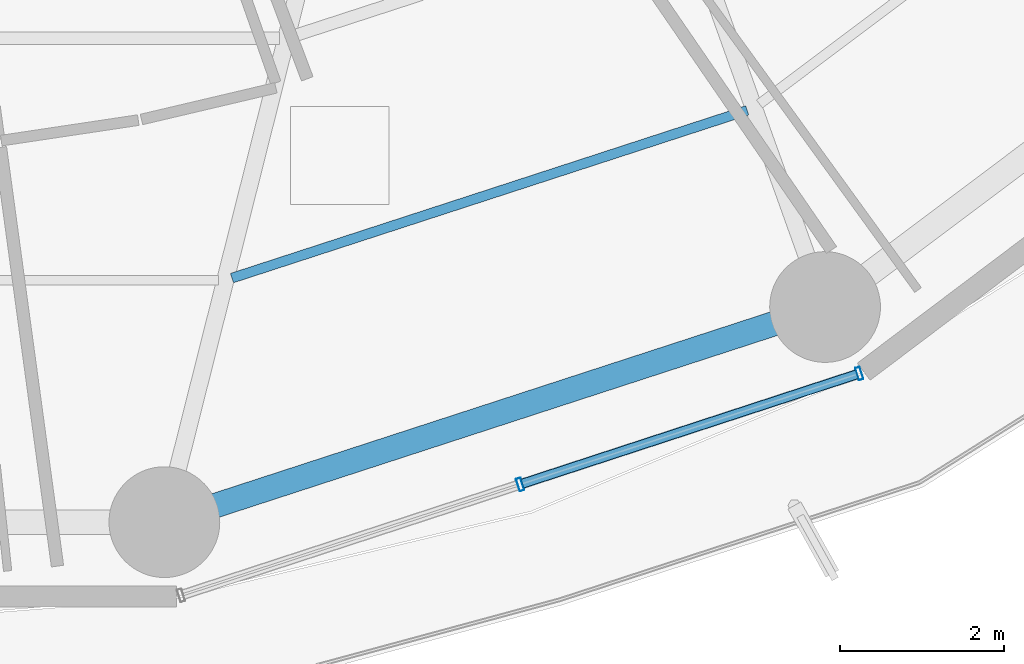
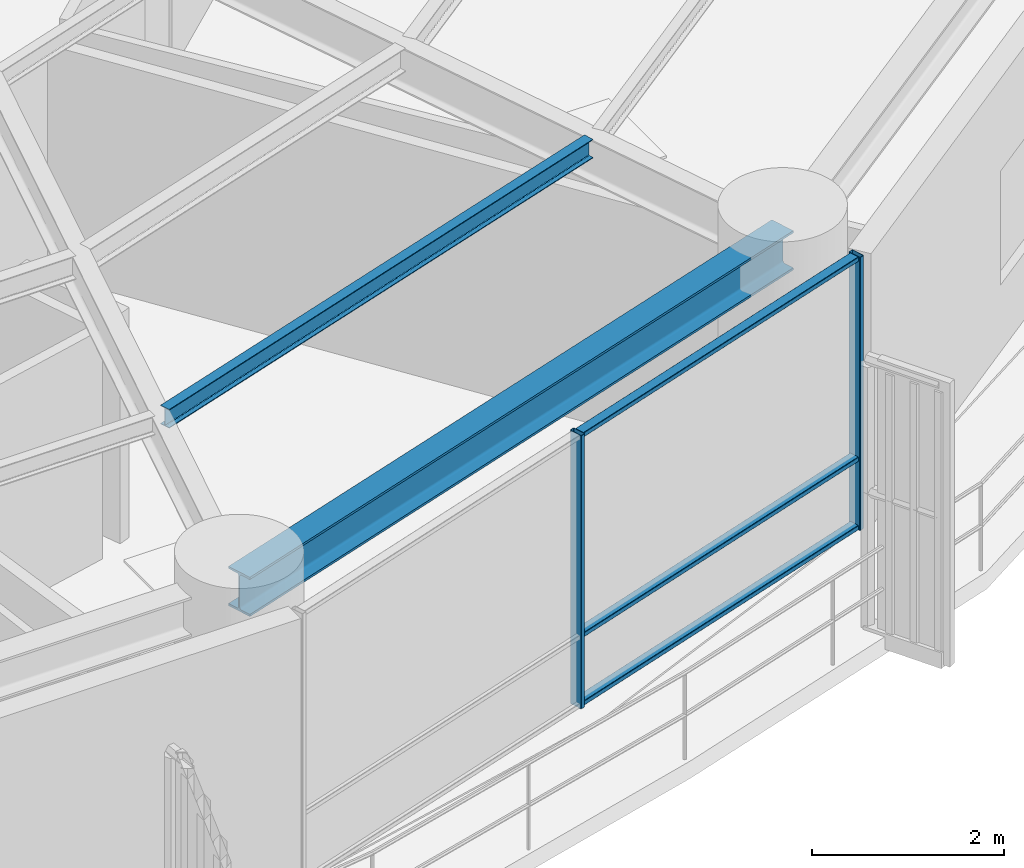
# One storey, part 10 of 37: 5 members, 2 beams, 1 element without a shape of its own.
"""IFC4 building model written with IfcOpenShell, lengths in metres."""

from ifc_helpers import new_model, si_unit, direction, frame, origin, origin_2d, place, context, subcontext, project, spatial, hollow_rectangle, i_section, extrude, material, layer, layer_set, material_profile, profile_set, type_object, element, aggregate, save


model = new_model("IFC4")

# Units and contexts
model_context = context("Model", 3, precision=1e-05, world=origin(), true_north=direction((0.0, 1.0)))
body_context = subcontext(model_context, "Body", "Model", "MODEL_VIEW")
ifc_project = project(units=[si_unit("LENGTHUNIT", "METRE"), si_unit("AREAUNIT", "SQUARE_METRE"), si_unit("VOLUMEUNIT", "CUBIC_METRE"), si_unit("PLANEANGLEUNIT", "RADIAN"), si_unit("MASSUNIT", "GRAM", prefix="KILO")], contexts=[model_context])

# Site, building, storey
site_placement = place(None, origin())
site = spatial("IfcSite", under=ifc_project, at=site_placement, CompositionType="ELEMENT")
building_placement = place(site_placement, origin())
building = spatial("IfcBuilding", under=site, at=building_placement, Name="Kelanora Arch Commons", CompositionType="ELEMENT")
storey_placement = place(building_placement, frame((0.0, 0.0, 113.85009765625)))
storey = spatial("IfcBuildingStorey", under=building, at=storey_placement, Name="L29", CompositionType="ELEMENT", Elevation=113.85009765625)

# Beams
ifc_material_1 = material(Name="Steel S355", Category="steel")
ifc_material_profile_1 = material_profile(ifc_material_1, i_section(OverallWidth=0.1201171875, OverallDepth=0.239990234375, WebThickness=0.006103515625, FlangeThickness=0.009765625, FilletRadius=0.014892578125, at=origin_2d()), Name="IPE240")
ifc_profile_set_1 = profile_set([ifc_material_profile_1], Name="Steel S355")
beam_type_1 = type_object("IfcBeamType", Name="BM-JST-02", PredefinedType="JOIST", material=ifc_profile_set_1)
beam_1_placement = place(storey_placement, frame((79.109375, 39.230712890625, 3.369873046875), z_axis=(0.950862829272, 0.309612467301, 0.0), x_axis=(-0.309612467301, 0.950862829272, 0.0)))
element("IfcBeam", 1, at=beam_1_placement, inside=storey, type_object=beam_type_1, Name="Secondary Chord Joist BJC-28 L29", PredefinedType="JOIST", context=body_context, shape_type="SweptSolid", body=[
    extrude(i_section(OverallWidth=0.1201171875, OverallDepth=0.239990234375, WebThickness=0.006103515625, FlangeThickness=0.009765625, FilletRadius=0.014892578125, at=origin_2d()), origin(), (0.0, 0.0, 1.0), 6.6064453125),
])
ifc_material_profile_2 = material_profile(ifc_material_1, i_section(OverallWidth=0.300048828125, OverallDepth=0.5, WebThickness=0.014404296875, FlangeThickness=0.028076171875, FilletRadius=0.027099609375, at=origin_2d()), Name="HEB500")
ifc_profile_set_2 = profile_set([ifc_material_profile_2], Name="Steel S355")
beam_type_2 = type_object("IfcBeamType", Name="BM-SPN-Z2", PredefinedType="SPANDREL", material=ifc_profile_set_2)
beam_2_placement = place(storey_placement, frame((78.28564453125, 36.25537109375, 3.239990234375), z_axis=(0.950856631974, 0.309631499418, 0.0), x_axis=(-0.309631499418, 0.950856631974, 0.0)))
element("IfcBeam", 2, at=beam_2_placement, inside=storey, type_object=beam_type_2, Name="Perimeter Spandrel Beam BS-28 L29", PredefinedType="SPANDREL", context=body_context, shape_type="SweptSolid", body=[
    extrude(i_section(OverallWidth=0.300048828125, OverallDepth=0.5, WebThickness=0.014404296875, FlangeThickness=0.028076171875, FilletRadius=0.027099609375, at=origin_2d()), origin(), (0.0, 0.0, 1.0), 8.470703125),
])

# Curtain wall, members
ifc_material_2 = material(Name="Terracotta ceramic-fritted low-E glass and aluminium", Category="masonry")
ifc_layer = layer(ifc_material_2, 0.159912109375)
ifc_layer_set = layer_set([ifc_layer], Name="Terracotta ceramic-fritted low-E glass and aluminium")
curtain_wall_type = type_object("IfcCurtainWallType", Name="CW-SYS-01", PredefinedType="NOTDEFINED", material=ifc_layer_set)
curtain_wall_placement = place(storey_placement, origin())
curtain_wall = element("IfcCurtainWall", 3, at=curtain_wall_placement, inside=storey, type_object=curtain_wall_type, Name="Unitised Curtain Wall L29-B14", PredefinedType="NOTDEFINED")
ifc_material_3 = material(Name="Powder-coated aluminium terracotta", Category="masonry")
ifc_material_profile_3 = material_profile(ifc_material_3, hollow_rectangle(XDim=0.159912109375, YDim=0.06005859375, WallThickness=0.0048828125, InnerFilletRadius=0.0048828125, OuterFilletRadius=0.010009765625, at=origin_2d()), Name="CWM160x60")
ifc_profile_set_3 = profile_set([ifc_material_profile_3], Name="Powder-coated aluminium terracotta")
member_type_1 = type_object("IfcMemberType", Name="CWM-STD", PredefinedType="MULLION", material=ifc_profile_set_3)
member_1_placement = place(storey_placement, frame((82.622802734375, 36.71533203125, 0.0), z_axis=(0.0, 0.0, 1.0), x_axis=(-0.31080470294, 0.950473795867, 0.0)))
member_1 = element("IfcMember", 4, at=member_1_placement, type_object=member_type_1, Name="CW-01 mullion 2", PredefinedType="MULLION", context=body_context, shape_type="SweptSolid", body=[
    extrude(hollow_rectangle(XDim=0.159912109375, YDim=0.06005859375, WallThickness=0.0048828125, InnerFilletRadius=0.0048828125, OuterFilletRadius=0.010009765625, at=origin_2d()), origin(), (0.0, 0.0, 1.0), 3.474853515625),
])
member_2_placement = place(storey_placement, frame((86.757080078125, 38.0673828125, 0.0), z_axis=(0.0, 0.0, 1.0), x_axis=(-0.31080470294, 0.950473795867, 0.0)))
member_2 = element("IfcMember", 5, at=member_2_placement, type_object=member_type_1, Name="CW-01 mullion 3", PredefinedType="MULLION", context=body_context, shape_type="SweptSolid", body=[
    extrude(hollow_rectangle(XDim=0.159912109375, YDim=0.06005859375, WallThickness=0.0048828125, InnerFilletRadius=0.0048828125, OuterFilletRadius=0.010009765625, at=origin_2d()), origin(), (0.0, 0.0, 1.0), 3.474853515625),
])
ifc_material_profile_4 = material_profile(ifc_material_3, hollow_rectangle(XDim=0.1201171875, YDim=0.06005859375, WallThickness=0.0048828125, InnerFilletRadius=0.0048828125, OuterFilletRadius=0.010009765625, at=origin_2d()), Name="CWT120x60")
ifc_profile_set_4 = profile_set([ifc_material_profile_4], Name="Powder-coated aluminium terracotta")
member_type_2 = type_object("IfcMemberType", Name="CWT-STD", PredefinedType="USERDEFINED", material=ifc_profile_set_4)
member_3_placement = place(storey_placement, frame((82.651123046875, 36.724609375, 0.02978515625), z_axis=(0.950466230394, 0.310827838008, 0.0), x_axis=(-0.310827838008, 0.950466230394, 0.0)))
member_3 = element("IfcMember", 6, at=member_3_placement, type_object=member_type_2, Name="CW-01 transom 2.1", ObjectType="TRANSOM", PredefinedType="USERDEFINED", context=body_context, shape_type="SweptSolid", body=[
    extrude(hollow_rectangle(XDim=0.1201171875, YDim=0.06005859375, WallThickness=0.0048828125, InnerFilletRadius=0.0048828125, OuterFilletRadius=0.010009765625, at=origin_2d()), origin(), (0.0, 0.0, 1.0), 4.2900390625),
])
member_4_placement = place(storey_placement, frame((82.651123046875, 36.724609375, 0.89990234375), z_axis=(0.950466230394, 0.310827838008, 0.0), x_axis=(-0.310827838008, 0.950466230394, 0.0)))
member_4 = element("IfcMember", 7, at=member_4_placement, type_object=member_type_2, Name="CW-01 transom 2.2", ObjectType="TRANSOM", PredefinedType="USERDEFINED", context=body_context, shape_type="SweptSolid", body=[
    extrude(hollow_rectangle(XDim=0.1201171875, YDim=0.06005859375, WallThickness=0.0048828125, InnerFilletRadius=0.0048828125, OuterFilletRadius=0.010009765625, at=origin_2d()), origin(), (0.0, 0.0, 1.0), 4.2900390625),
])
member_5_placement = place(storey_placement, frame((82.651123046875, 36.724609375, 3.44482421875), z_axis=(0.950466230394, 0.310827838008, 0.0), x_axis=(-0.310827838008, 0.950466230394, 0.0)))
member_5 = element("IfcMember", 8, at=member_5_placement, type_object=member_type_2, Name="CW-01 transom 2.3", ObjectType="TRANSOM", PredefinedType="USERDEFINED", context=body_context, shape_type="SweptSolid", body=[
    extrude(hollow_rectangle(XDim=0.1201171875, YDim=0.06005859375, WallThickness=0.0048828125, InnerFilletRadius=0.0048828125, OuterFilletRadius=0.010009765625, at=origin_2d()), origin(), (0.0, 0.0, 1.0), 4.2900390625),
])
aggregate(curtain_wall, [member_1, member_2, member_3, member_4, member_5])

save(model, "model.ifc")
